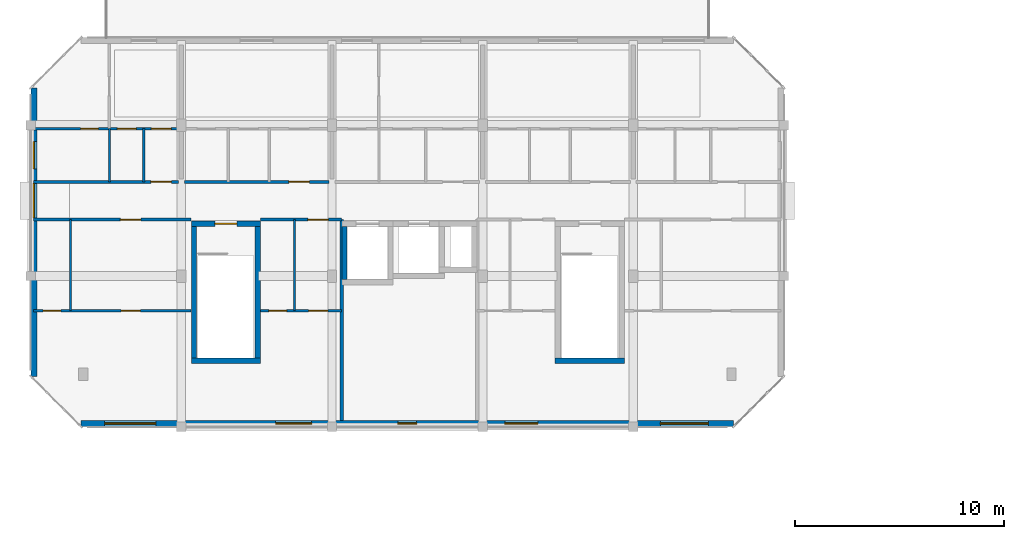
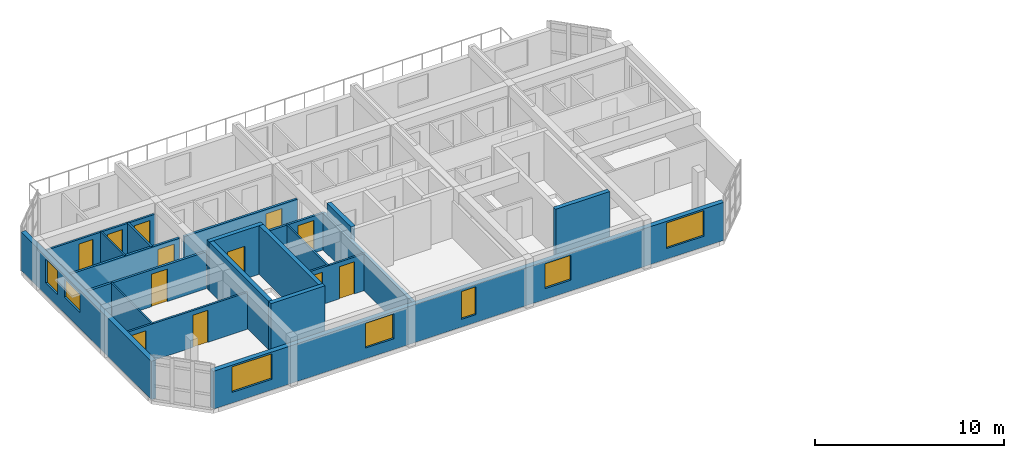
# One storey, part 12 of 30: 20 walls, 12 doors, 7 windows, 19 openings.
"""IFC4 building model written with IfcOpenShell, lengths in metres."""

from ifc_helpers import new_model, si_unit, direction, frame, frame_2d, origin, place, context, subcontext, project, spatial, rectangle, extrude, material, layer, layer_set, type_object, element, fill, save


model = new_model("IFC4")

# Units and contexts
model_context = context("Model", 3, precision=1e-05, world=origin(), true_north=direction((0.0, 1.0)))
body_context = subcontext(model_context, "Body", "Model", "MODEL_VIEW")
ifc_project = project(units=[si_unit("LENGTHUNIT", "METRE"), si_unit("AREAUNIT", "SQUARE_METRE"), si_unit("VOLUMEUNIT", "CUBIC_METRE"), si_unit("PLANEANGLEUNIT", "RADIAN"), si_unit("MASSUNIT", "GRAM", prefix="KILO")], contexts=[model_context])

# Site, building, storey
site_placement = place(None, origin())
site = spatial("IfcSite", under=ifc_project, at=site_placement, CompositionType="ELEMENT")
building_placement = place(site_placement, origin())
building = spatial("IfcBuilding", under=site, at=building_placement, Name="Ochrevale Crest", CompositionType="ELEMENT")
storey_placement = place(building_placement, frame((0.0, 0.0, 33.89990234375)))
storey = spatial("IfcBuildingStorey", under=building, at=storey_placement, Name="L10", CompositionType="ELEMENT", Elevation=33.89990234375)

# Wall, opening, door
ifc_material_1 = material(Name="Gypsum plasterboard", Category="gypsum")
ifc_layer_1 = layer(ifc_material_1, 0.139892578125)
ifc_layer_set_1 = layer_set([ifc_layer_1], Name="Gypsum plasterboard")
wall_type_1 = type_object("IfcWallType", Name="WL-COR-140", PredefinedType="PARTITIONING", material=ifc_layer_set_1)
wall_1_placement = place(storey_placement, frame((0.139892578125, 83.699951171875, 0.0), z_axis=(0.0, 0.0, 1.0), x_axis=(1.0, 0.0, 0.0)))
wall_1 = element("IfcWall", 1, at=wall_1_placement, inside=storey, type_object=wall_type_1, Name="Apartment B-L10-U1 corridor wall", PredefinedType="PARTITIONING", context=body_context, shape_type="SweptSolid", body=[
    extrude(rectangle(XDim=6.920166015625, YDim=0.139892578125, at=frame_2d((3.4599609375, 0.0))), origin(), (0.0, 0.0, 1.0), 2.380126953125),
])
opening_1_placement = place(wall_1_placement, frame((6.5849609375, 0.0, 0.0), z_axis=(0.0, 0.0, 1.0), x_axis=(-1.0, 0.0, 0.0)))
opening_1 = element("IfcOpeningElement", 2, at=opening_1_placement, cuts=wall_1, Name="Opening FD01", PredefinedType="OPENING", context=body_context, shape_type="SweptSolid", body=[
    extrude(rectangle(XDim=0.97998046875, YDim=2.10009765625, at=frame_2d((0.489990234375, 1.050048828125))), frame((0.0, 0.080078125, 0.0), z_axis=(0.0, -1.0, 0.0), x_axis=(1.0, 0.0, 0.0)), (0.0, 0.0, 1.0), 0.159912109375),
])
ifc_material_2 = material(Name="Solid-core FSC hardwood", Category="wood")
door_type_1 = type_object("IfcDoorType", Name="DR-APT-950", OperationType="NOTDEFINED", PredefinedType="DOOR", material=ifc_material_2)
door_1_placement = place(opening_1_placement, origin())
door_1 = element("IfcDoor", 3, at=door_1_placement, inside=storey, type_object=door_type_1, Name="Apartment B-L10-U1 entrance door", OperationType="SINGLE_SWING_RIGHT", OverallHeight=2.10009765625, OverallWidth=0.97998046875, PredefinedType="DOOR", context=body_context, shape_type="SweptSolid", body=[
    extrude(rectangle(XDim=0.97998046875, YDim=2.10009765625, at=frame_2d((0.489990234375, 1.050048828125))), frame((0.0, 0.02490234375, 0.0), z_axis=(0.0, -1.0, 0.0), x_axis=(1.0, 0.0, 0.0)), (0.0, 0.0, 1.0), 0.050048828125),
])
fill(opening_1, door_1)

wall_2_placement = place(storey_placement, frame((7.340087890625, 83.699951171875, 0.0), z_axis=(0.0, 0.0, 1.0), x_axis=(1.0, 0.0, 0.0)))
wall_2 = element("IfcWall", 4, at=wall_2_placement, inside=storey, type_object=wall_type_1, Name="Apartment B-L10-U2 corridor wall", PredefinedType="PARTITIONING", context=body_context, shape_type="SweptSolid", body=[
    extrude(rectangle(XDim=6.919921875, YDim=0.139892578125, at=frame_2d((3.4599609375, 0.0))), origin(), (0.0, 0.0, 1.0), 2.380126953125),
])
opening_2_placement = place(wall_2_placement, frame((4.9951171875, 0.0, 0.0)))
opening_2 = element("IfcOpeningElement", 5, at=opening_2_placement, cuts=wall_2, Name="Opening FD01", PredefinedType="OPENING", context=body_context, shape_type="SweptSolid", body=[
    extrude(rectangle(XDim=0.97998046875, YDim=2.10009765625, at=frame_2d((0.489990234375, 1.050048828125))), frame((0.0, 0.080078125, 0.0), z_axis=(0.0, -1.0, 0.0), x_axis=(1.0, 0.0, 0.0)), (0.0, 0.0, 1.0), 0.159912109375),
])
door_2_placement = place(opening_2_placement, origin())
door_2 = element("IfcDoor", 6, at=door_2_placement, inside=storey, type_object=door_type_1, Name="Apartment B-L10-U2 entrance door", OperationType="SINGLE_SWING_LEFT", OverallHeight=2.10009765625, OverallWidth=0.97998046875, PredefinedType="DOOR", context=body_context, shape_type="SweptSolid", body=[
    extrude(rectangle(XDim=0.97998046875, YDim=2.10009765625, at=frame_2d((0.489990234375, 1.050048828125))), frame((0.0, 0.02490234375, 0.0), z_axis=(0.0, -1.0, 0.0), x_axis=(1.0, 0.0, 0.0)), (0.0, 0.0, 1.0), 0.050048828125),
])
fill(opening_2, door_2)

wall_3_placement = place(storey_placement, frame((0.139892578125, 81.89990234375, 0.0), z_axis=(0.0, 0.0, 1.0), x_axis=(1.0, 0.0, 0.0)))
wall_3 = element("IfcWall", 7, at=wall_3_placement, inside=storey, type_object=wall_type_1, Name="Suite B-L10-CW corridor wall", PredefinedType="PARTITIONING", context=body_context, shape_type="SweptSolid", body=[
    extrude(rectangle(XDim=7.52001953125, YDim=0.139892578125, at=frame_2d((3.760009765625, 0.0))), origin(), (0.0, 0.0, 1.0), 2.380126953125),
])
opening_3_placement = place(wall_3_placement, frame((5.125, 0.0, 0.0), z_axis=(0.0, 0.0, 1.0), x_axis=(-1.0, 0.0, 0.0)))
opening_3 = element("IfcOpeningElement", 8, at=opening_3_placement, cuts=wall_3, Name="Opening FD01", PredefinedType="OPENING", context=body_context, shape_type="SweptSolid", body=[
    extrude(rectangle(XDim=0.97998046875, YDim=2.10009765625, at=frame_2d((0.489990234375, 1.050048828125))), frame((0.0, 0.080078125, 0.0), z_axis=(0.0, -1.0, 0.0), x_axis=(1.0, 0.0, 0.0)), (0.0, 0.0, 1.0), 0.159912109375),
])
door_3_placement = place(opening_3_placement, origin())
door_3 = element("IfcDoor", 9, at=door_3_placement, inside=storey, type_object=door_type_1, Name="Suite B-L10-CW entrance door", OperationType="SINGLE_SWING_RIGHT", OverallHeight=2.10009765625, OverallWidth=0.97998046875, PredefinedType="DOOR", context=body_context, shape_type="SweptSolid", body=[
    extrude(rectangle(XDim=0.97998046875, YDim=2.10009765625, at=frame_2d((0.489990234375, 1.050048828125))), frame((0.0, 0.02490234375, 0.0), z_axis=(0.0, -1.0, 0.0), x_axis=(1.0, 0.0, 0.0)), (0.0, 0.0, 1.0), 0.050048828125),
])
fill(opening_3, door_3)

wall_4_placement = place(storey_placement, frame((10.989990234375, 81.89990234375, 0.0), z_axis=(0.0, 0.0, 1.0), x_axis=(1.0, 0.0, 0.0)))
wall_4 = element("IfcWall", 10, at=wall_4_placement, inside=storey, type_object=wall_type_1, Name="Suite B-L10-MW corridor wall", PredefinedType="PARTITIONING", context=body_context, shape_type="SweptSolid", body=[
    extrude(rectangle(XDim=3.8701171875, YDim=0.139892578125, at=frame_2d((1.93505859375, 0.0))), origin(), (0.0, 0.0, 1.0), 2.380126953125),
])
opening_4_placement = place(wall_4_placement, frame((2.2578125, 0.0, 0.0)))
opening_4 = element("IfcOpeningElement", 11, at=opening_4_placement, cuts=wall_4, Name="Opening FD01", PredefinedType="OPENING", context=body_context, shape_type="SweptSolid", body=[
    extrude(rectangle(XDim=0.97998046875, YDim=2.10009765625, at=frame_2d((0.489990234375, 1.050048828125))), frame((0.0, 0.080078125, 0.0), z_axis=(0.0, -1.0, 0.0), x_axis=(1.0, 0.0, 0.0)), (0.0, 0.0, 1.0), 0.159912109375),
])
door_4_placement = place(opening_4_placement, origin())
door_4 = element("IfcDoor", 12, at=door_4_placement, inside=storey, type_object=door_type_1, Name="Suite B-L10-MW entrance door", OperationType="SINGLE_SWING_LEFT", OverallHeight=2.10009765625, OverallWidth=0.97998046875, PredefinedType="DOOR", context=body_context, shape_type="SweptSolid", body=[
    extrude(rectangle(XDim=0.97998046875, YDim=2.10009765625, at=frame_2d((0.489990234375, 1.050048828125))), frame((0.0, 0.02490234375, 0.0), z_axis=(0.0, -1.0, 0.0), x_axis=(1.0, 0.0, 0.0)), (0.0, 0.0, 1.0), 0.050048828125),
])
fill(opening_4, door_4)

# Wall
ifc_material_3 = material(Name="Precast concrete C50/60", Category="concrete")
ifc_layer_2 = layer(ifc_material_3, 0.2548828125)
ifc_layer_set_2 = layer_set([ifc_layer_2], Name="Precast concrete C50/60")
wall_type_2 = type_object("IfcWallType", Name="WL-CORE-255", PredefinedType="SHEAR", material=ifc_layer_set_2)
wall_5_placement = place(storey_placement, frame((7.672607421875, 75.14990234375, 0.0), z_axis=(0.0, 0.0, 1.0), x_axis=(1.0, 0.0, 0.0)))
element("IfcWall", 13, at=wall_5_placement, inside=storey, type_object=wall_type_2, Name="Block B L10 Stair 1 precast core shear wall S", PredefinedType="SHEAR", context=body_context, shape_type="SweptSolid", body=[
    extrude(rectangle(XDim=3.304931640625, YDim=0.2548828125, at=frame_2d((1.65234375, 0.0))), origin(), (0.0, 0.0, 1.0), 3.150146484375),
])

# Wall, opening, door
wall_6_placement = place(storey_placement, frame((7.672607421875, 81.699951171875, 0.0), z_axis=(0.0, 0.0, 1.0), x_axis=(1.0, 0.0, 0.0)))
wall_6 = element("IfcWall", 14, at=wall_6_placement, inside=storey, type_object=wall_type_2, Name="Block B L10 Stair 1 precast core shear wall N", PredefinedType="SHEAR", context=body_context, shape_type="SweptSolid", body=[
    extrude(rectangle(XDim=3.304931640625, YDim=0.2548828125, at=frame_2d((1.65234375, 0.0))), origin(), (0.0, 0.0, 1.0), 3.150146484375),
])
opening_5_placement = place(wall_6_placement, frame((2.177490234375, 0.0, 0.0), z_axis=(0.0, 0.0, 1.0), x_axis=(-1.0, 0.0, 0.0)))
opening_5 = element("IfcOpeningElement", 15, at=opening_5_placement, cuts=wall_6, Name="Opening FD03", PredefinedType="OPENING", context=body_context, shape_type="SweptSolid", body=[
    extrude(rectangle(XDim=1.050048828125, YDim=2.1201171875, at=frame_2d((0.52490234375, 1.06005859375))), frame((0.0, 0.137451171875, 0.0), z_axis=(0.0, -1.0, 0.0), x_axis=(1.0, 0.0, 0.0)), (0.0, 0.0, 1.0), 0.27490234375),
])
door_type_2 = type_object("IfcDoorType", Name="DR-ST-1050", OperationType="NOTDEFINED", PredefinedType="DOOR", material=ifc_material_2)
door_5_placement = place(opening_5_placement, origin())
door_5 = element("IfcDoor", 16, at=door_5_placement, inside=storey, type_object=door_type_2, Name="Block B L10 fire stair 1 door", OperationType="SINGLE_SWING_RIGHT", OverallHeight=2.1201171875, OverallWidth=1.050048828125, PredefinedType="DOOR", context=body_context, shape_type="SweptSolid", body=[
    extrude(rectangle(XDim=1.050048828125, YDim=2.1201171875, at=frame_2d((0.52490234375, 1.06005859375))), frame((0.0, 0.02490234375, 0.0), z_axis=(0.0, -1.0, 0.0), x_axis=(1.0, 0.0, 0.0)), (0.0, 0.0, 1.0), 0.050048828125),
])
fill(opening_5, door_5)

# Walls
for number, where, z_axis, x_axis, name in (
    (17, (7.800048828125, 75.277587890625, 0.0), (0.0, 0.0, 1.0), (0.0, 1.0, 0.0), "Block B L10 Stair 1 precast core shear wall W"),
    (18, (10.85009765625, 75.277587890625, 0.0), (0.0, 0.0, 1.0), (0.0, 1.0, 0.0), "Block B L10 Stair 1 precast core shear wall E"),
):
    element("IfcWall", number, at=place(storey_placement, frame(where, z_axis=z_axis, x_axis=x_axis)), inside=storey, type_object=wall_type_2, Name=name, PredefinedType="SHEAR", context=body_context, shape_type="SweptSolid", body=[
        extrude(rectangle(XDim=6.294921875, YDim=0.2548828125, at=frame_2d((3.1474609375, 0.0))), origin(), (0.0, 0.0, 1.0), 3.150146484375),
    ])
wall_7_placement = place(storey_placement, frame((25.072509765625, 75.14990234375, 0.0), z_axis=(0.0, 0.0, 1.0), x_axis=(1.0, 0.0, 0.0)))
element("IfcWall", 19, at=wall_7_placement, inside=storey, type_object=wall_type_2, Name="Block B L10 Stair 2 precast core shear wall S", PredefinedType="SHEAR", context=body_context, shape_type="SweptSolid", body=[
    extrude(rectangle(XDim=3.304931640625, YDim=0.2548828125, at=frame_2d((1.65234375, 0.0))), origin(), (0.0, 0.0, 1.0), 3.150146484375),
])
wall_8_placement = place(storey_placement, frame((15.0, 79.027587890625, 0.0), z_axis=(0.0, 0.0, 1.0), x_axis=(0.0, 1.0, 0.0)))
element("IfcWall", 20, at=wall_8_placement, inside=storey, type_object=wall_type_2, Name="Block B L10 Lift 1 precast shaft shear wall W", PredefinedType="SHEAR", context=body_context, shape_type="SweptSolid", body=[
    extrude(rectangle(XDim=2.544921875, YDim=0.2548828125, at=frame_2d((1.2724609375, 0.0))), origin(), (0.0, 0.0, 1.0), 3.150146484375),
])

# Wall, openings, windows
ifc_material_4 = material(Name="Clay face brickwork", Category="masonry")
ifc_layer_3 = layer(ifc_material_4, 0.2900390625)
ifc_layer_set_3 = layer_set([ifc_layer_3], Name="Clay face brickwork")
wall_type_3 = type_object("IfcWallType", Name="WL-EXT-BRICK-290", PredefinedType="SOLIDWALL", material=ifc_layer_set_3)
wall_9_placement = place(storey_placement, frame((2.39990234375, 72.14501953125, 0.0), z_axis=(0.0, 0.0, 1.0), x_axis=(1.0, 0.0, 0.0)))
wall_9 = element("IfcWall", 21, at=wall_9_placement, inside=storey, type_object=wall_type_3, Name="Block B L10 external facade wall E1", PredefinedType="SOLIDWALL", context=body_context, shape_type="SweptSolid", body=[
    extrude(rectangle(XDim=31.2001953125, YDim=0.2900390625, at=frame_2d((15.60009765625, 0.0))), origin(), (0.0, 0.0, 1.0), 2.4501953125),
])
opening_6_placement = place(wall_9_placement, frame((15.14990234375, 0.0, 0.5)))
opening_6 = element("IfcOpeningElement", 22, at=opening_6_placement, cuts=wall_9, Name="Opening W17", PredefinedType="OPENING", context=body_context, shape_type="SweptSolid", body=[
    extrude(rectangle(XDim=0.89990234375, YDim=1.800048828125, at=frame_2d((0.449951171875, 0.89990234375))), frame((0.0, 0.155029296875, 0.0), z_axis=(0.0, -1.0, 0.0), x_axis=(1.0, 0.0, 0.0)), (0.0, 0.0, 1.0), 0.31005859375),
])
opening_7_placement = place(wall_9_placement, frame((27.697509765625, 0.0, 0.68994140625)))
opening_7 = element("IfcOpeningElement", 23, at=opening_7_placement, cuts=wall_9, Name="Opening W14", PredefinedType="OPENING", context=body_context, shape_type="SweptSolid", body=[
    extrude(rectangle(XDim=2.300048828125, YDim=1.64990234375, at=frame_2d((1.14990234375, 0.824951171875))), frame((0.0, 0.155029296875, 0.0), z_axis=(0.0, -1.0, 0.0), x_axis=(1.0, 0.0, 0.0)), (0.0, 0.0, 1.0), 0.31005859375),
])
opening_8_placement = place(wall_9_placement, frame((1.12744140625, 0.0, 0.68994140625)))
opening_8 = element("IfcOpeningElement", 24, at=opening_8_placement, cuts=wall_9, Name="Opening W15", PredefinedType="OPENING", context=body_context, shape_type="SweptSolid", body=[
    extrude(rectangle(XDim=2.449951171875, YDim=1.64990234375, at=frame_2d((1.22509765625, 0.824951171875))), frame((0.0, 0.155029296875, 0.0), z_axis=(0.0, -1.0, 0.0), x_axis=(1.0, 0.0, 0.0)), (0.0, 0.0, 1.0), 0.31005859375),
])
opening_9_placement = place(wall_9_placement, frame((20.267578125, 0.0, 0.699951171875)))
opening_9 = element("IfcOpeningElement", 25, at=opening_9_placement, cuts=wall_9, Name="Opening W09", PredefinedType="OPENING", context=body_context, shape_type="SweptSolid", body=[
    extrude(rectangle(XDim=1.580078125, YDim=1.60009765625, at=frame_2d((0.7900390625, 0.800048828125))), frame((0.0, 0.155029296875, 0.0), z_axis=(0.0, -1.0, 0.0), x_axis=(1.0, 0.0, 0.0)), (0.0, 0.0, 1.0), 0.31005859375),
])
opening_10_placement = place(wall_9_placement, frame((9.3076171875, 0.0, 0.699951171875)))
opening_10 = element("IfcOpeningElement", 26, at=opening_10_placement, cuts=wall_9, Name="Opening W10", PredefinedType="OPENING", context=body_context, shape_type="SweptSolid", body=[
    extrude(rectangle(XDim=1.719970703125, YDim=1.60009765625, at=frame_2d((0.85986328125, 0.800048828125))), frame((0.0, 0.155029296875, 0.0), z_axis=(0.0, -1.0, 0.0), x_axis=(1.0, 0.0, 0.0)), (0.0, 0.0, 1.0), 0.31005859375),
])
ifc_material_5 = material(Name="Anodised aluminium 6063-T5 and low-E double glazing", Category="aluminium")
window_type_1 = type_object("IfcWindowType", Name="WIN-W09", PartitioningType="SINGLE_PANEL", PredefinedType="WINDOW", material=ifc_material_5)
window_1_placement = place(opening_9_placement, origin())
window_1 = element("IfcWindow", 27, at=window_1_placement, inside=storey, type_object=window_type_1, Name="Block B L10 Suite B-L10-ME Garden Alcove Studio window", OverallHeight=1.60009765625, OverallWidth=1.580078125, PartitioningType="SINGLE_PANEL", PredefinedType="WINDOW", context=body_context, shape_type="SweptSolid", body=[
    extrude(rectangle(XDim=1.580078125, YDim=1.60009765625, at=frame_2d((0.7900390625, 0.800048828125))), frame((0.0, 0.030029296875, 0.0), z_axis=(0.0, -1.0, 0.0), x_axis=(1.0, 0.0, 0.0)), (0.0, 0.0, 1.0), 0.06005859375),
])
fill(opening_9, window_1)
window_type_2 = type_object("IfcWindowType", Name="WIN-W10", PartitioningType="SINGLE_PANEL", PredefinedType="WINDOW", material=ifc_material_5)
window_2_placement = place(opening_10_placement, origin())
window_2 = element("IfcWindow", 28, at=window_2_placement, inside=storey, type_object=window_type_2, Name="Block B L10 Suite B-L10-MW Courtyard Studio Living window", OverallHeight=1.60009765625, OverallWidth=1.719970703125, PartitioningType="SINGLE_PANEL", PredefinedType="WINDOW", context=body_context, shape_type="SweptSolid", body=[
    extrude(rectangle(XDim=1.719970703125, YDim=1.60009765625, at=frame_2d((0.85986328125, 0.800048828125))), frame((0.0, 0.030029296875, 0.0), z_axis=(0.0, -1.0, 0.0), x_axis=(1.0, 0.0, 0.0)), (0.0, 0.0, 1.0), 0.06005859375),
])
fill(opening_10, window_2)
window_type_3 = type_object("IfcWindowType", Name="WIN-W14", PartitioningType="SINGLE_PANEL", PredefinedType="WINDOW", material=ifc_material_5)
window_3_placement = place(opening_7_placement, origin())
window_3 = element("IfcWindow", 29, at=window_3_placement, inside=storey, type_object=window_type_3, Name="Block B L10 Suite B-L10-CE Master Bedroom window", OverallHeight=1.64990234375, OverallWidth=2.300048828125, PartitioningType="SINGLE_PANEL", PredefinedType="WINDOW", context=body_context, shape_type="SweptSolid", body=[
    extrude(rectangle(XDim=2.300048828125, YDim=1.64990234375, at=frame_2d((1.14990234375, 0.824951171875))), frame((0.0, 0.030029296875, 0.0), z_axis=(0.0, -1.0, 0.0), x_axis=(1.0, 0.0, 0.0)), (0.0, 0.0, 1.0), 0.06005859375),
])
fill(opening_7, window_3)
window_type_4 = type_object("IfcWindowType", Name="WIN-W15", PartitioningType="SINGLE_PANEL", PredefinedType="WINDOW", material=ifc_material_5)
window_4_placement = place(opening_8_placement, origin())
window_4 = element("IfcWindow", 30, at=window_4_placement, inside=storey, type_object=window_type_4, Name="Block B L10 Suite B-L10-CW Quiet Reading Room window", OverallHeight=1.64990234375, OverallWidth=2.449951171875, PartitioningType="SINGLE_PANEL", PredefinedType="WINDOW", context=body_context, shape_type="SweptSolid", body=[
    extrude(rectangle(XDim=2.449951171875, YDim=1.64990234375, at=frame_2d((1.22509765625, 0.824951171875))), frame((0.0, 0.030029296875, 0.0), z_axis=(0.0, -1.0, 0.0), x_axis=(1.0, 0.0, 0.0)), (0.0, 0.0, 1.0), 0.06005859375),
])
fill(opening_8, window_4)
window_type_5 = type_object("IfcWindowType", Name="WIN-W17", PartitioningType="SINGLE_PANEL", PredefinedType="WINDOW", material=ifc_material_5)
window_5_placement = place(opening_6_placement, origin())
window_5 = element("IfcWindow", 31, at=window_5_placement, inside=storey, type_object=window_type_5, Name="Block B L10 core lancet window", OverallHeight=1.800048828125, OverallWidth=0.89990234375, PartitioningType="SINGLE_PANEL", PredefinedType="WINDOW", context=body_context, shape_type="SweptSolid", body=[
    extrude(rectangle(XDim=0.89990234375, YDim=1.800048828125, at=frame_2d((0.449951171875, 0.89990234375))), frame((0.0, 0.030029296875, 0.0), z_axis=(0.0, -1.0, 0.0), x_axis=(1.0, 0.0, 0.0)), (0.0, 0.0, 1.0), 0.06005859375),
])
fill(opening_6, window_5)

wall_10_placement = place(storey_placement, frame((0.14501953125, 88.199951171875, 0.0), z_axis=(0.0, 0.0, 1.0), x_axis=(0.0, -1.0, 0.0)))
wall_10 = element("IfcWall", 32, at=wall_10_placement, inside=storey, type_object=wall_type_3, Name="Block B L10 external facade wall E7", PredefinedType="SOLIDWALL", context=body_context, shape_type="SweptSolid", body=[
    extrude(rectangle(XDim=13.800048828125, YDim=0.2900390625, at=frame_2d((6.89990234375, 0.0))), origin(), (0.0, 0.0, 1.0), 2.47998046875),
])
opening_11_placement = place(wall_10_placement, frame((4.574951171875, 0.0, 1.050048828125)))
opening_11 = element("IfcOpeningElement", 33, at=opening_11_placement, cuts=wall_10, Name="Opening W19", PredefinedType="OPENING", context=body_context, shape_type="SweptSolid", body=[
    extrude(rectangle(XDim=1.64990234375, YDim=1.14990234375, at=frame_2d((0.824951171875, 0.574951171875))), frame((0.0, 0.155029296875, 0.0), z_axis=(0.0, -1.0, 0.0), x_axis=(1.0, 0.0, 0.0)), (0.0, 0.0, 1.0), 0.31005859375),
])
opening_12_placement = place(wall_10_placement, frame((2.577392578125, 0.0, 0.75)))
opening_12 = element("IfcOpeningElement", 34, at=opening_12_placement, cuts=wall_10, Name="Opening W30", PredefinedType="OPENING", context=body_context, shape_type="SweptSolid", body=[
    extrude(rectangle(XDim=1.300048828125, YDim=1.550048828125, at=frame_2d((0.64990234375, 0.77490234375))), frame((0.0, 0.155029296875, 0.0), z_axis=(0.0, -1.0, 0.0), x_axis=(1.0, 0.0, 0.0)), (0.0, 0.0, 1.0), 0.31005859375),
])
window_type_6 = type_object("IfcWindowType", Name="WIN-W19", PartitioningType="SINGLE_PANEL", PredefinedType="WINDOW", material=ifc_material_5)
window_6_placement = place(opening_11_placement, origin())
window_6 = element("IfcWindow", 35, at=window_6_placement, inside=storey, type_object=window_type_6, Name="Block B L10 corridor end daylight window W", OverallHeight=1.14990234375, OverallWidth=1.64990234375, PartitioningType="SINGLE_PANEL", PredefinedType="WINDOW", context=body_context, shape_type="SweptSolid", body=[
    extrude(rectangle(XDim=1.64990234375, YDim=1.14990234375, at=frame_2d((0.824951171875, 0.574951171875))), frame((0.0, 0.030029296875, 0.0), z_axis=(0.0, -1.0, 0.0), x_axis=(1.0, 0.0, 0.0)), (0.0, 0.0, 1.0), 0.06005859375),
])
fill(opening_11, window_6)
window_type_7 = type_object("IfcWindowType", Name="WIN-W30", PartitioningType="SINGLE_PANEL", PredefinedType="WINDOW", material=ifc_material_5)
window_7_placement = place(opening_12_placement, origin())
window_7 = element("IfcWindow", 36, at=window_7_placement, inside=storey, type_object=window_type_7, Name="Block B L10 side suite window W", OverallHeight=1.550048828125, OverallWidth=1.300048828125, PartitioningType="SINGLE_PANEL", PredefinedType="WINDOW", context=body_context, shape_type="SweptSolid", body=[
    extrude(rectangle(XDim=1.300048828125, YDim=1.550048828125, at=frame_2d((0.64990234375, 0.77490234375))), frame((0.0, 0.030029296875, 0.0), z_axis=(0.0, -1.0, 0.0), x_axis=(1.0, 0.0, 0.0)), (0.0, 0.0, 1.0), 0.06005859375),
])
fill(opening_12, window_7)

# Wall
ifc_layer_4 = layer(ifc_material_1, 0.1201171875)
ifc_layer_set_4 = layer_set([ifc_layer_4], Name="Gypsum plasterboard")
wall_type_4 = type_object("IfcWallType", Name="WL-PART-120", PredefinedType="PARTITIONING", material=ifc_layer_set_4)
wall_11_placement = place(storey_placement, frame((5.409912109375, 83.699951171875, 0.0), z_axis=(0.0, 0.0, 1.0), x_axis=(0.0, 1.0, 0.0)))
element("IfcWall", 37, at=wall_11_placement, inside=storey, type_object=wall_type_4, Name="Apartment B-L10-U1 kitchen-foyer wall", PredefinedType="PARTITIONING", context=body_context, shape_type="SweptSolid", body=[
    extrude(rectangle(XDim=2.550048828125, YDim=0.1201171875, at=frame_2d((1.27490234375, 0.0))), origin(), (0.0, 0.0, 1.0), 2.380126953125),
])

# Wall, openings, doors
wall_12_placement = place(storey_placement, frame((0.139892578125, 86.25, 0.0), z_axis=(0.0, 0.0, 1.0), x_axis=(1.0, 0.0, 0.0)))
wall_12 = element("IfcWall", 38, at=wall_12_placement, inside=storey, type_object=wall_type_4, Name="Apartment B-L10-U1 central partition", PredefinedType="PARTITIONING", context=body_context, shape_type="SweptSolid", body=[
    extrude(rectangle(XDim=6.920166015625, YDim=0.1201171875, at=frame_2d((3.4599609375, 0.0))), origin(), (0.0, 0.0, 1.0), 2.380126953125),
])
opening_13_placement = place(wall_12_placement, frame((2.239990234375, 0.0, 0.0)))
opening_13 = element("IfcOpeningElement", 39, at=opening_13_placement, cuts=wall_12, Name="Opening ID01", PredefinedType="OPENING", context=body_context, shape_type="SweptSolid", body=[
    extrude(rectangle(XDim=0.85009765625, YDim=2.080078125, at=frame_2d((0.425048828125, 1.0400390625))), frame((0.0, 0.070068359375, 0.0), z_axis=(0.0, -1.0, 0.0), x_axis=(1.0, 0.0, 0.0)), (0.0, 0.0, 1.0), 0.14013671875),
])
opening_14_placement = place(wall_12_placement, frame((4.89501953125, 0.0, 0.0), z_axis=(0.0, 0.0, 1.0), x_axis=(-1.0, 0.0, 0.0)))
opening_14 = element("IfcOpeningElement", 40, at=opening_14_placement, cuts=wall_12, Name="Opening ID02", PredefinedType="OPENING", context=body_context, shape_type="SweptSolid", body=[
    extrude(rectangle(XDim=0.89990234375, YDim=2.080078125, at=frame_2d((0.449951171875, 1.0400390625))), frame((0.0, 0.070068359375, 0.0), z_axis=(0.0, -1.0, 0.0), x_axis=(1.0, 0.0, 0.0)), (0.0, 0.0, 1.0), 0.14013671875),
])
opening_15_placement = place(wall_12_placement, frame((5.6201171875, 0.0, 0.0)))
opening_15 = element("IfcOpeningElement", 41, at=opening_15_placement, cuts=wall_12, Name="Opening ID06", PredefinedType="OPENING", context=body_context, shape_type="SweptSolid", body=[
    extrude(rectangle(XDim=0.949951171875, YDim=2.080078125, at=frame_2d((0.47509765625, 1.0400390625))), frame((0.0, 0.070068359375, 0.0), z_axis=(0.0, -1.0, 0.0), x_axis=(1.0, 0.0, 0.0)), (0.0, 0.0, 1.0), 0.14013671875),
])
door_type_3 = type_object("IfcDoorType", Name="DR-INT-900", OperationType="NOTDEFINED", PredefinedType="DOOR", material=ifc_material_2)
door_6_placement = place(opening_14_placement, origin())
door_6 = element("IfcDoor", 42, at=door_6_placement, inside=storey, type_object=door_type_3, Name="Apartment B-L10-U1 Kitchen door", OperationType="SINGLE_SWING_RIGHT", OverallHeight=2.080078125, OverallWidth=0.89990234375, PredefinedType="DOOR", context=body_context, shape_type="SweptSolid", body=[
    extrude(rectangle(XDim=0.89990234375, YDim=2.080078125, at=frame_2d((0.449951171875, 1.0400390625))), frame((0.0, 0.02490234375, 0.0), z_axis=(0.0, -1.0, 0.0), x_axis=(1.0, 0.0, 0.0)), (0.0, 0.0, 1.0), 0.050048828125),
])
fill(opening_14, door_6)
door_type_4 = type_object("IfcDoorType", Name="DR-INT-950", OperationType="NOTDEFINED", PredefinedType="DOOR", material=ifc_material_2)
door_7_placement = place(opening_15_placement, origin())
door_7 = element("IfcDoor", 43, at=door_7_placement, inside=storey, type_object=door_type_4, Name="Apartment B-L10-U1 Living Foyer door", OperationType="SINGLE_SWING_LEFT", OverallHeight=2.080078125, OverallWidth=0.949951171875, PredefinedType="DOOR", context=body_context, shape_type="SweptSolid", body=[
    extrude(rectangle(XDim=0.949951171875, YDim=2.080078125, at=frame_2d((0.47509765625, 1.0400390625))), frame((0.0, 0.02490234375, 0.0), z_axis=(0.0, -1.0, 0.0), x_axis=(1.0, 0.0, 0.0)), (0.0, 0.0, 1.0), 0.050048828125),
])
fill(opening_15, door_7)
door_type_5 = type_object("IfcDoorType", Name="DR-WC-850", OperationType="NOTDEFINED", PredefinedType="DOOR", material=ifc_material_2)
door_8_placement = place(opening_13_placement, origin())
door_8 = element("IfcDoor", 44, at=door_8_placement, inside=storey, type_object=door_type_5, Name="Apartment B-L10-U1 Bathroom door", OperationType="SINGLE_SWING_LEFT", OverallHeight=2.080078125, OverallWidth=0.85009765625, PredefinedType="DOOR", context=body_context, shape_type="SweptSolid", body=[
    extrude(rectangle(XDim=0.85009765625, YDim=2.080078125, at=frame_2d((0.425048828125, 1.0400390625))), frame((0.0, 0.02490234375, 0.0), z_axis=(0.0, -1.0, 0.0), x_axis=(1.0, 0.0, 0.0)), (0.0, 0.0, 1.0), 0.050048828125),
])
fill(opening_13, door_8)

wall_13_placement = place(storey_placement, frame((0.139892578125, 77.550048828125, 0.0), z_axis=(0.0, 0.0, 1.0), x_axis=(1.0, 0.0, 0.0)))
wall_13 = element("IfcWall", 45, at=wall_13_placement, inside=storey, type_object=wall_type_4, Name="Suite B-L10-CW internal wall", PredefinedType="PARTITIONING", context=body_context, shape_type="SweptSolid", body=[
    extrude(rectangle(XDim=7.52001953125, YDim=0.1201171875, at=frame_2d((3.760009765625, 0.0))), origin(), (0.0, 0.0, 1.0), 2.380126953125),
])
opening_16_placement = place(wall_13_placement, frame((0.449951171875, 0.0, 0.0)))
opening_16 = element("IfcOpeningElement", 46, at=opening_16_placement, cuts=wall_13, Name="Opening ID01", PredefinedType="OPENING", context=body_context, shape_type="SweptSolid", body=[
    extrude(rectangle(XDim=0.85009765625, YDim=2.080078125, at=frame_2d((0.425048828125, 1.0400390625))), frame((0.0, 0.070068359375, 0.0), z_axis=(0.0, -1.0, 0.0), x_axis=(1.0, 0.0, 0.0)), (0.0, 0.0, 1.0), 0.14013671875),
])
opening_17_placement = place(wall_13_placement, frame((5.094970703125, 0.0, 0.0), z_axis=(0.0, 0.0, 1.0), x_axis=(-1.0, 0.0, 0.0)))
opening_17 = element("IfcOpeningElement", 47, at=opening_17_placement, cuts=wall_13, Name="Opening ID04", PredefinedType="OPENING", context=body_context, shape_type="SweptSolid", body=[
    extrude(rectangle(XDim=0.919921875, YDim=2.080078125, at=frame_2d((0.4599609375, 1.0400390625))), frame((0.0, 0.070068359375, 0.0), z_axis=(0.0, -1.0, 0.0), x_axis=(1.0, 0.0, 0.0)), (0.0, 0.0, 1.0), 0.14013671875),
])
door_type_6 = type_object("IfcDoorType", Name="DR-INT-920", OperationType="NOTDEFINED", PredefinedType="DOOR", material=ifc_material_2)
door_9_placement = place(opening_17_placement, origin())
door_9 = element("IfcDoor", 48, at=door_9_placement, inside=storey, type_object=door_type_6, Name="Suite B-L10-CW Quiet Reading Room door", OperationType="SINGLE_SWING_RIGHT", OverallHeight=2.080078125, OverallWidth=0.919921875, PredefinedType="DOOR", context=body_context, shape_type="SweptSolid", body=[
    extrude(rectangle(XDim=0.919921875, YDim=2.080078125, at=frame_2d((0.4599609375, 1.0400390625))), frame((0.0, 0.02490234375, 0.0), z_axis=(0.0, -1.0, 0.0), x_axis=(1.0, 0.0, 0.0)), (0.0, 0.0, 1.0), 0.050048828125),
])
fill(opening_17, door_9)
door_10_placement = place(opening_16_placement, origin())
door_10 = element("IfcDoor", 49, at=door_10_placement, inside=storey, type_object=door_type_5, Name="Suite B-L10-CW Bathroom door", OperationType="SINGLE_SWING_LEFT", OverallHeight=2.080078125, OverallWidth=0.85009765625, PredefinedType="DOOR", context=body_context, shape_type="SweptSolid", body=[
    extrude(rectangle(XDim=0.85009765625, YDim=2.080078125, at=frame_2d((0.425048828125, 1.0400390625))), frame((0.0, 0.02490234375, 0.0), z_axis=(0.0, -1.0, 0.0), x_axis=(1.0, 0.0, 0.0)), (0.0, 0.0, 1.0), 0.050048828125),
])
fill(opening_16, door_10)

wall_14_placement = place(storey_placement, frame((10.989990234375, 77.550048828125, 0.0), z_axis=(0.0, 0.0, 1.0), x_axis=(1.0, 0.0, 0.0)))
wall_14 = element("IfcWall", 50, at=wall_14_placement, inside=storey, type_object=wall_type_4, Name="Suite B-L10-MW internal wall", PredefinedType="PARTITIONING", context=body_context, shape_type="SweptSolid", body=[
    extrude(rectangle(XDim=3.8701171875, YDim=0.1201171875, at=frame_2d((1.93505859375, 0.0))), origin(), (0.0, 0.0, 1.0), 2.380126953125),
])
opening_18_placement = place(wall_14_placement, frame((1.23779296875, 0.0, 0.0), z_axis=(0.0, 0.0, 1.0), x_axis=(-1.0, 0.0, 0.0)))
opening_18 = element("IfcOpeningElement", 51, at=opening_18_placement, cuts=wall_14, Name="Opening ID01", PredefinedType="OPENING", context=body_context, shape_type="SweptSolid", body=[
    extrude(rectangle(XDim=0.85009765625, YDim=2.080078125, at=frame_2d((0.425048828125, 1.0400390625))), frame((0.0, 0.070068359375, 0.0), z_axis=(0.0, -1.0, 0.0), x_axis=(1.0, 0.0, 0.0)), (0.0, 0.0, 1.0), 0.14013671875),
])
opening_19_placement = place(wall_14_placement, frame((2.28759765625, 0.0, 0.0)))
opening_19 = element("IfcOpeningElement", 52, at=opening_19_placement, cuts=wall_14, Name="Opening ID04", PredefinedType="OPENING", context=body_context, shape_type="SweptSolid", body=[
    extrude(rectangle(XDim=0.919921875, YDim=2.080078125, at=frame_2d((0.4599609375, 1.0400390625))), frame((0.0, 0.070068359375, 0.0), z_axis=(0.0, -1.0, 0.0), x_axis=(1.0, 0.0, 0.0)), (0.0, 0.0, 1.0), 0.14013671875),
])
door_11_placement = place(opening_19_placement, origin())
door_11 = element("IfcDoor", 53, at=door_11_placement, inside=storey, type_object=door_type_6, Name="Suite B-L10-MW Courtyard Studio Living door", OperationType="SINGLE_SWING_LEFT", OverallHeight=2.080078125, OverallWidth=0.919921875, PredefinedType="DOOR", context=body_context, shape_type="SweptSolid", body=[
    extrude(rectangle(XDim=0.919921875, YDim=2.080078125, at=frame_2d((0.4599609375, 1.0400390625))), frame((0.0, 0.02490234375, 0.0), z_axis=(0.0, -1.0, 0.0), x_axis=(1.0, 0.0, 0.0)), (0.0, 0.0, 1.0), 0.050048828125),
])
fill(opening_19, door_11)
door_12_placement = place(opening_18_placement, origin())
door_12 = element("IfcDoor", 54, at=door_12_placement, inside=storey, type_object=door_type_5, Name="Suite B-L10-MW Bathroom door", OperationType="SINGLE_SWING_RIGHT", OverallHeight=2.080078125, OverallWidth=0.85009765625, PredefinedType="DOOR", context=body_context, shape_type="SweptSolid", body=[
    extrude(rectangle(XDim=0.85009765625, YDim=2.080078125, at=frame_2d((0.425048828125, 1.0400390625))), frame((0.0, 0.02490234375, 0.0), z_axis=(0.0, -1.0, 0.0), x_axis=(1.0, 0.0, 0.0)), (0.0, 0.0, 1.0), 0.050048828125),
])
fill(opening_18, door_12)

# Walls
ifc_layer_5 = layer(ifc_material_1, 0.169921875)
ifc_layer_set_5 = layer_set([ifc_layer_5], Name="Gypsum plasterboard")
wall_type_5 = type_object("IfcWallType", Name="WL-TEN-170", PredefinedType="PARTITIONING", material=ifc_layer_set_5)
wall_15_placement = place(storey_placement, frame((14.860107421875, 72.300048828125, 0.0), z_axis=(0.0, 0.0, 1.0), x_axis=(0.0, 1.0, 0.0)))
element("IfcWall", 55, at=wall_15_placement, inside=storey, type_object=wall_type_5, Name="Suite B-L10-MW east party wall", PredefinedType="PARTITIONING", context=body_context, shape_type="SweptSolid", body=[
    extrude(rectangle(XDim=9.599853515625, YDim=0.169921875, at=frame_2d((4.7998046875, 0.0))), origin(), (0.0, 0.0, 1.0), 2.380126953125),
])
ifc_layer_6 = layer(ifc_material_1, 0.10009765625)
ifc_layer_set_6 = layer_set([ifc_layer_6], Name="Gypsum plasterboard")
wall_type_6 = type_object("IfcWallType", Name="WL-WET-100", PredefinedType="PARTITIONING", material=ifc_layer_set_6)
wall_16_placement = place(storey_placement, frame((3.760009765625, 83.699951171875, 0.0), z_axis=(0.0, 0.0, 1.0), x_axis=(0.0, 1.0, 0.0)))
element("IfcWall", 56, at=wall_16_placement, inside=storey, type_object=wall_type_6, Name="Apartment B-L10-U1 bath-kitchen wall", PredefinedType="PARTITIONING", context=body_context, shape_type="SweptSolid", body=[
    extrude(rectangle(XDim=2.550048828125, YDim=0.10009765625, at=frame_2d((1.27490234375, 0.0))), origin(), (0.0, 0.0, 1.0), 2.380126953125),
])
for number, where, z_axis, x_axis, name in (
    (57, (1.889892578125, 77.550048828125, 0.0), (0.0, 0.0, 1.0), (0.0, 1.0, 0.0), "Suite B-L10-CW bathroom divider"),
    (58, (12.615478515625, 77.550048828125, 0.0), (0.0, 0.0, 1.0), (0.0, 1.0, 0.0), "Suite B-L10-MW bathroom divider"),
):
    element("IfcWall", number, at=place(storey_placement, frame(where, z_axis=z_axis, x_axis=x_axis)), inside=storey, type_object=wall_type_6, Name=name, PredefinedType="PARTITIONING", context=body_context, shape_type="SweptSolid", body=[
        extrude(rectangle(XDim=4.349853515625, YDim=0.10009765625, at=frame_2d((2.1748046875, 0.0))), origin(), (0.0, 0.0, 1.0), 2.380126953125),
    ])

save(model, "model.ifc")
